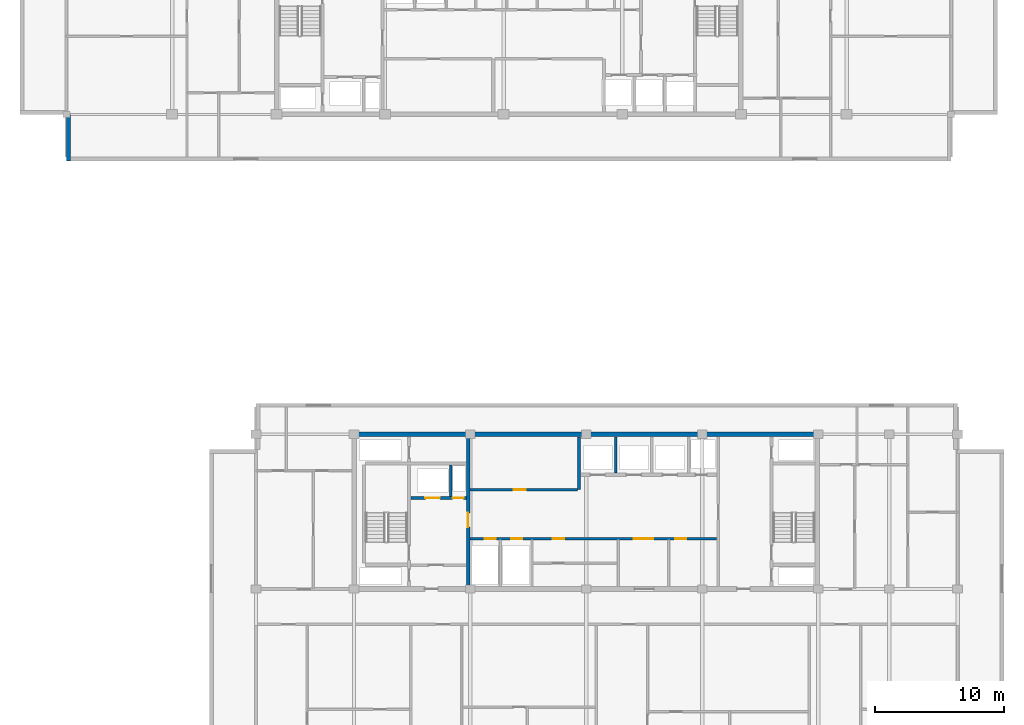
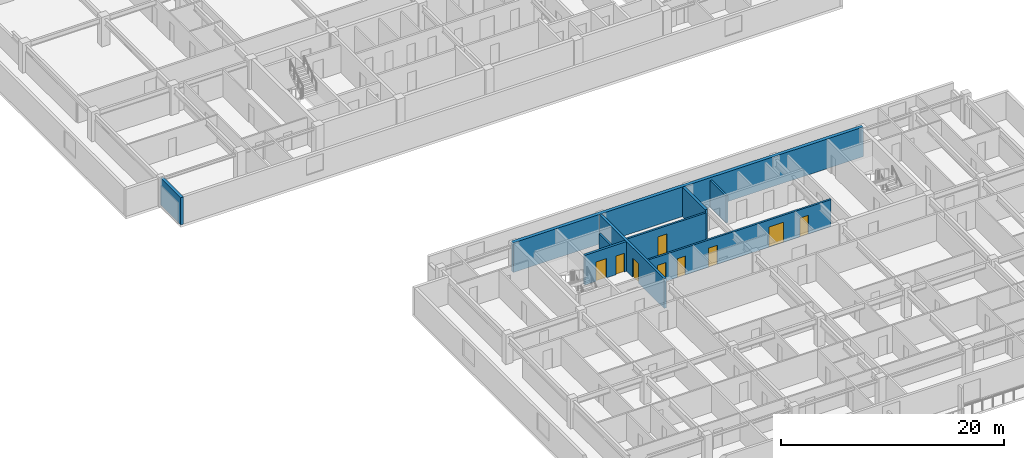
# One storey, part 7 of 22: 9 doors, 9 walls, 9 openings.
"""IFC4 building model written with IfcOpenShell, lengths in metres."""

from ifc_helpers import new_model, si_unit, direction, frame, frame_2d, origin, place, context, subcontext, project, spatial, rectangle, extrude, material, layer, layer_set, type_object, element, fill, save


model = new_model("IFC4")

# Units and contexts
model_context = context("Model", 3, precision=1e-05, world=origin(), true_north=direction((0.0, 1.0)))
body_context = subcontext(model_context, "Body", "Model", "MODEL_VIEW")
ifc_project = project(units=[si_unit("LENGTHUNIT", "METRE"), si_unit("AREAUNIT", "SQUARE_METRE"), si_unit("VOLUMEUNIT", "CUBIC_METRE"), si_unit("PLANEANGLEUNIT", "RADIAN"), si_unit("MASSUNIT", "GRAM", prefix="KILO")], contexts=[model_context])

# Site, building, storey
site_placement = place(None, origin())
site = spatial("IfcSite", under=ifc_project, at=site_placement, CompositionType="ELEMENT")
building_placement = place(site_placement, origin())
building = spatial("IfcBuilding", under=site, at=building_placement, Name="Korimba Cascade Residences", CompositionType="ELEMENT")
storey_placement = place(building_placement, frame((0.0, 0.0, 181.60009765625)))
storey = spatial("IfcBuildingStorey", under=building, at=storey_placement, Name="L52", CompositionType="ELEMENT", Elevation=181.60009765625)

# Walls
ifc_material_1 = material(Name="Precast concrete C40/50", Category="concrete")
ifc_layer_1 = layer(ifc_material_1, 0.300048828125)
ifc_layer_set_1 = layer_set([ifc_layer_1], Name="Precast concrete C40/50")
wall_type_1 = type_object("IfcWallType", Name="EW-STONE-300", PredefinedType="STANDARD", material=ifc_layer_set_1)
wall_1_placement = place(storey_placement, frame((59.949951171875, 55.199951171875, 0.0), z_axis=(0.0, 0.0, 1.0), x_axis=(0.0, -1.0, 0.0)))
element("IfcWall", 1, at=wall_1_placement, inside=storey, type_object=wall_type_1, Name="L52 T1 Perimeter Stone Wall E11", PredefinedType="STANDARD", context=body_context, shape_type="SweptSolid", body=[
    extrude(rectangle(XDim=3.599853515625, YDim=0.300048828125, at=frame_2d((1.7998046875, 0.0))), origin(), (0.0, 0.0, 1.0), 2.969970703125),
])
ifc_material_2 = material(Name="Concrete C65/80", Category="concrete")
ifc_layer_2 = layer(ifc_material_2, 0.35009765625)
ifc_layer_set_2 = layer_set([ifc_layer_2], Name="Concrete C65/80")
wall_type_2 = type_object("IfcWallType", Name="WAL-CORE-350", PredefinedType="SHEAR", material=ifc_layer_set_2)
wall_2_placement = place(storey_placement, frame((81.925048828125, 30.39990234375, 0.0), z_axis=(0.0, 0.0, 1.0), x_axis=(1.0, 0.0, 0.0)))
element("IfcWall", 2, at=wall_2_placement, inside=storey, type_object=wall_type_2, Name="L52 Core Shear Wall CW-L52-T2-N", PredefinedType="SHEAR", context=body_context, shape_type="SweptSolid", body=[
    extrude(rectangle(XDim=36.264892578125, YDim=0.35009765625, at=frame_2d((18.13232421875, 0.0))), origin(), (0.0, 0.0, 1.0), 3.25),
])
ifc_material_3 = material(Name="Concrete C40/50", Category="concrete")
ifc_layer_3 = layer(ifc_material_3, 0.199951171875)
ifc_layer_set_3 = layer_set([ifc_layer_3], Name="Concrete C40/50")
wall_type_3 = type_object("IfcWallType", Name="WAL-PART-200", PredefinedType="PARTITIONING", material=ifc_layer_set_3)
wall_3_placement = place(storey_placement, frame((89.60009765625, 25.580078125, 0.0), z_axis=(0.0, 0.0, 1.0), x_axis=(0.0, 1.0, 0.0)))
element("IfcWall", 3, at=wall_3_placement, inside=storey, type_object=wall_type_3, Name="L52 Partition Wall CW-L52-T2-FFLDIV", PredefinedType="PARTITIONING", context=body_context, shape_type="SweptSolid", body=[
    extrude(rectangle(XDim=2.419921875, YDim=0.199951171875, at=frame_2d((1.2099609375, 0.0))), origin(), (0.0, 0.0, 1.0), 2.969970703125),
])

# Wall, opening, door
wall_4_placement = place(storey_placement, frame((91.080078125, 26.10009765625, 0.0), z_axis=(0.0, 0.0, 1.0), x_axis=(1.0, 0.0, 0.0)))
wall_4 = element("IfcWall", 4, at=wall_4_placement, inside=storey, type_object=wall_type_3, Name="L52 Partition Wall CW-L52-T2-B1RS", PredefinedType="PARTITIONING", context=body_context, shape_type="SweptSolid", body=[
    extrude(rectangle(XDim=8.33984375, YDim=0.199951171875, at=frame_2d((4.169921875, 0.0))), origin(), (0.0, 0.0, 1.0), 2.969970703125),
])
opening_1_placement = place(wall_4_placement, frame((3.39990234375, 0.0, 0.0)))
opening_1 = element("IfcOpeningElement", 5, at=opening_1_placement, cuts=wall_4, Name="Opening D-ST1", PredefinedType="OPENING", context=body_context, shape_type="SweptSolid", body=[
    extrude(rectangle(XDim=0.919921875, YDim=2.080078125, at=frame_2d((0.4599609375, 1.0400390625))), frame((0.0, 0.10986328125, 0.0), z_axis=(0.0, -1.0, 0.0), x_axis=(1.0, 0.0, 0.0)), (0.0, 0.0, 1.0), 0.219970703125),
])
ifc_material_4 = material(Name="Fire-Rated Core Store Door", Category="wood")
door_type_1 = type_object("IfcDoorType", Name="DR-FD60-920", OperationType="NOTDEFINED", PredefinedType="DOOR", material=ifc_material_4)
door_1_placement = place(opening_1_placement, origin())
door_1 = element("IfcDoor", 6, at=door_1_placement, inside=storey, type_object=door_type_1, Name="L52 T2 Resident Storage Door", OperationType="SINGLE_SWING_RIGHT", OverallHeight=2.080078125, OverallWidth=0.919921875, PredefinedType="DOOR", context=body_context, shape_type="SweptSolid", body=[
    extrude(rectangle(XDim=0.919921875, YDim=2.080078125, at=frame_2d((0.4599609375, 1.0400390625))), frame((0.0, 0.02490234375, 0.0), z_axis=(0.0, -1.0, 0.0), x_axis=(1.0, 0.0, 0.0)), (0.0, 0.0, 1.0), 0.050048828125),
])
fill(opening_1, door_1)

# Wall
wall_5_placement = place(storey_placement, frame((102.39990234375, 27.3798828125, 0.0), z_axis=(0.0, 0.0, 1.0), x_axis=(0.0, 1.0, 0.0)))
element("IfcWall", 7, at=wall_5_placement, inside=storey, type_object=wall_type_3, Name="L52 Partition Wall CW-L52-T2-B2D1", PredefinedType="PARTITIONING", context=body_context, shape_type="SweptSolid", body=[
    extrude(rectangle(XDim=2.820068359375, YDim=0.199951171875, at=frame_2d((1.41015625, 0.0))), origin(), (0.0, 0.0, 1.0), 2.969970703125),
])

# Wall, openings, doors
wall_6_placement = place(storey_placement, frame((91.080078125, 22.300048828125, 0.0), z_axis=(0.0, 0.0, 1.0), x_axis=(1.0, 0.0, 0.0)))
wall_6 = element("IfcWall", 8, at=wall_6_placement, inside=storey, type_object=wall_type_3, Name="L52 Partition Wall CW-L52-T2-SRVROW", PredefinedType="PARTITIONING", context=body_context, shape_type="SweptSolid", body=[
    extrude(rectangle(XDim=19.139892578125, YDim=0.199951171875, at=frame_2d((9.56982421875, 0.0))), origin(), (0.0, 0.0, 1.0), 2.969970703125),
])
opening_2_placement = place(wall_6_placement, frame((1.14990234375, 0.0, 0.0)))
opening_2 = element("IfcOpeningElement", 9, at=opening_2_placement, cuts=wall_6, Name="Opening D-RS1", PredefinedType="OPENING", context=body_context, shape_type="SweptSolid", body=[
    extrude(rectangle(XDim=0.85009765625, YDim=2.050048828125, at=frame_2d((0.425048828125, 1.02490234375))), frame((0.0, 0.10986328125, 0.0), z_axis=(0.0, -1.0, 0.0), x_axis=(1.0, 0.0, 0.0)), (0.0, 0.0, 1.0), 0.219970703125),
])
opening_3_placement = place(wall_6_placement, frame((3.199951171875, 0.0, 0.0)))
opening_3 = element("IfcOpeningElement", 10, at=opening_3_placement, cuts=wall_6, Name="Opening D-RS1", PredefinedType="OPENING", context=body_context, shape_type="SweptSolid", body=[
    extrude(rectangle(XDim=0.85009765625, YDim=2.050048828125, at=frame_2d((0.425048828125, 1.02490234375))), frame((0.0, 0.10986328125, 0.0), z_axis=(0.0, -1.0, 0.0), x_axis=(1.0, 0.0, 0.0)), (0.0, 0.0, 1.0), 0.219970703125),
])
opening_4_placement = place(wall_6_placement, frame((12.719970703125, 0.0, 0.0)))
opening_4 = element("IfcOpeningElement", 11, at=opening_4_placement, cuts=wall_6, Name="Opening D-FD8", PredefinedType="OPENING", context=body_context, shape_type="SweptSolid", body=[
    extrude(rectangle(XDim=1.5, YDim=2.199951171875, at=frame_2d((0.75, 1.10009765625))), frame((0.0, 0.10986328125, 0.0), z_axis=(0.0, -1.0, 0.0), x_axis=(1.0, 0.0, 0.0)), (0.0, 0.0, 1.0), 0.219970703125),
])
opening_5_placement = place(wall_6_placement, frame((6.419921875, 0.0, 0.0)))
opening_5 = element("IfcOpeningElement", 12, at=opening_5_placement, cuts=wall_6, Name="Opening D-IN1", PredefinedType="OPENING", context=body_context, shape_type="SweptSolid", body=[
    extrude(rectangle(XDim=0.919921875, YDim=2.080078125, at=frame_2d((0.4599609375, 1.0400390625))), frame((0.0, 0.10986328125, 0.0), z_axis=(0.0, -1.0, 0.0), x_axis=(1.0, 0.0, 0.0)), (0.0, 0.0, 1.0), 0.219970703125),
])
opening_6_placement = place(wall_6_placement, frame((15.919921875, 0.0, 0.0)))
opening_6 = element("IfcOpeningElement", 13, at=opening_6_placement, cuts=wall_6, Name="Opening D-IN2", PredefinedType="OPENING", context=body_context, shape_type="SweptSolid", body=[
    extrude(rectangle(XDim=0.8798828125, YDim=2.06005859375, at=frame_2d((0.43994140625, 1.030029296875))), frame((0.0, 0.10986328125, 0.0), z_axis=(0.0, -1.0, 0.0), x_axis=(1.0, 0.0, 0.0)), (0.0, 0.0, 1.0), 0.219970703125),
])
ifc_material_5 = material(Name="Fire-Rated Steel Riser Access Door", Category="steel")
door_type_2 = type_object("IfcDoorType", Name="DR-FD60-850", OperationType="NOTDEFINED", PredefinedType="DOOR", material=ifc_material_5)
door_2_placement = place(opening_2_placement, origin())
door_2 = element("IfcDoor", 14, at=door_2_placement, inside=storey, type_object=door_type_2, Name="L52 T2 Electrical Riser Door", OperationType="SINGLE_SWING_LEFT", OverallHeight=2.050048828125, OverallWidth=0.85009765625, PredefinedType="DOOR", context=body_context, shape_type="SweptSolid", body=[
    extrude(rectangle(XDim=0.85009765625, YDim=2.050048828125, at=frame_2d((0.425048828125, 1.02490234375))), frame((0.0, 0.02490234375, 0.0), z_axis=(0.0, -1.0, 0.0), x_axis=(1.0, 0.0, 0.0)), (0.0, 0.0, 1.0), 0.050048828125),
])
fill(opening_2, door_2)
door_3_placement = place(opening_3_placement, origin())
door_3 = element("IfcDoor", 15, at=door_3_placement, inside=storey, type_object=door_type_2, Name="L52 T2 Plumbing Riser Door", OperationType="SINGLE_SWING_RIGHT", OverallHeight=2.050048828125, OverallWidth=0.85009765625, PredefinedType="DOOR", context=body_context, shape_type="SweptSolid", body=[
    extrude(rectangle(XDim=0.85009765625, YDim=2.050048828125, at=frame_2d((0.425048828125, 1.02490234375))), frame((0.0, 0.02490234375, 0.0), z_axis=(0.0, -1.0, 0.0), x_axis=(1.0, 0.0, 0.0)), (0.0, 0.0, 1.0), 0.050048828125),
])
fill(opening_3, door_3)
ifc_material_6 = material(Name="Fire-Rated Glazed Lift Lobby Double Door", Category="glass")
door_type_3 = type_object("IfcDoorType", Name="DR-FD90-1500", OperationType="NOTDEFINED", PredefinedType="DOOR", material=ifc_material_6)
door_4_placement = place(opening_4_placement, origin())
door_4 = element("IfcDoor", 16, at=door_4_placement, inside=storey, type_object=door_type_3, Name="L52 T2 Lift Lobby Foyer Door", OperationType="DOUBLE_DOOR_SINGLE_SWING", OverallHeight=2.199951171875, OverallWidth=1.5, PredefinedType="DOOR", context=body_context, shape_type="SweptSolid", body=[
    extrude(rectangle(XDim=1.5, YDim=2.199951171875, at=frame_2d((0.75, 1.10009765625))), frame((0.0, 0.02490234375, 0.0), z_axis=(0.0, -1.0, 0.0), x_axis=(1.0, 0.0, 0.0)), (0.0, 0.0, 1.0), 0.050048828125),
])
fill(opening_4, door_4)
ifc_material_7 = material(Name="Acoustic Timber Bedroom Door", Category="wood")
door_type_4 = type_object("IfcDoorType", Name="DR-INT-880", OperationType="NOTDEFINED", PredefinedType="DOOR", material=ifc_material_7)
door_5_placement = place(opening_6_placement, origin())
door_5 = element("IfcDoor", 17, at=door_5_placement, inside=storey, type_object=door_type_4, Name="L52 T2 Staff WC Door", OperationType="SINGLE_SWING_RIGHT", OverallHeight=2.06005859375, OverallWidth=0.8798828125, PredefinedType="DOOR", context=body_context, shape_type="SweptSolid", body=[
    extrude(rectangle(XDim=0.8798828125, YDim=2.06005859375, at=frame_2d((0.43994140625, 1.030029296875))), frame((0.0, 0.02490234375, 0.0), z_axis=(0.0, -1.0, 0.0), x_axis=(1.0, 0.0, 0.0)), (0.0, 0.0, 1.0), 0.050048828125),
])
fill(opening_6, door_5)
ifc_material_8 = material(Name="Acoustic Timber Living Door", Category="wood")
door_type_5 = type_object("IfcDoorType", Name="DR-INT-920", OperationType="NOTDEFINED", PredefinedType="DOOR", material=ifc_material_8)
door_6_placement = place(opening_5_placement, origin())
door_6 = element("IfcDoor", 18, at=door_6_placement, inside=storey, type_object=door_type_5, Name="L52 T2 Locker Door", OperationType="SINGLE_SWING_LEFT", OverallHeight=2.080078125, OverallWidth=0.919921875, PredefinedType="DOOR", context=body_context, shape_type="SweptSolid", body=[
    extrude(rectangle(XDim=0.919921875, YDim=2.080078125, at=frame_2d((0.4599609375, 1.0400390625))), frame((0.0, 0.02490234375, 0.0), z_axis=(0.0, -1.0, 0.0), x_axis=(1.0, 0.0, 0.0)), (0.0, 0.0, 1.0), 0.050048828125),
])
fill(opening_5, door_6)

ifc_material_9 = material(Name="Concrete C50/60", Category="concrete")
ifc_layer_4 = layer(ifc_material_9, 0.25)
ifc_layer_set_4 = layer_set([ifc_layer_4], Name="Concrete C50/60")
wall_type_4 = type_object("IfcWallType", Name="WAL-SHAFT-250", PredefinedType="SHEAR", material=ifc_layer_set_4)
wall_7_placement = place(storey_placement, frame((86.5, 25.449951171875, 0.0), z_axis=(0.0, 0.0, 1.0), x_axis=(1.0, 0.0, 0.0)))
wall_7 = element("IfcWall", 19, at=wall_7_placement, inside=storey, type_object=wall_type_4, Name="L52 Core Shear Wall CW-L52-T2-FFLN", PredefinedType="SHEAR", context=body_context, shape_type="SweptSolid", body=[
    extrude(rectangle(XDim=4.320068359375, YDim=0.25, at=frame_2d((2.16015625, 0.0))), origin(), (0.0, 0.0, 1.0), 3.25),
])
opening_7_placement = place(wall_7_placement, frame((1.139892578125, 0.0, 0.0)))
opening_7 = element("IfcOpeningElement", 20, at=opening_7_placement, cuts=wall_7, Name="Opening LD-01", PredefinedType="OPENING", context=body_context, shape_type="SweptSolid", body=[
    extrude(rectangle(XDim=1.1201171875, YDim=2.1201171875, at=frame_2d((0.56005859375, 1.06005859375))), frame((0.0, 0.135009765625, 0.0), z_axis=(0.0, -1.0, 0.0), x_axis=(1.0, 0.0, 0.0)), (0.0, 0.0, 1.0), 0.27001953125),
])
opening_8_placement = place(wall_7_placement, frame((3.25, 0.0, 0.0)))
opening_8 = element("IfcOpeningElement", 21, at=opening_8_placement, cuts=wall_7, Name="Opening D-RS1", PredefinedType="OPENING", context=body_context, shape_type="SweptSolid", body=[
    extrude(rectangle(XDim=0.85009765625, YDim=2.050048828125, at=frame_2d((0.425048828125, 1.02490234375))), frame((0.0, 0.135009765625, 0.0), z_axis=(0.0, -1.0, 0.0), x_axis=(1.0, 0.0, 0.0)), (0.0, 0.0, 1.0), 0.27001953125),
])
door_7_placement = place(opening_8_placement, origin())
door_7 = element("IfcDoor", 22, at=door_7_placement, inside=storey, type_object=door_type_2, Name="L52 T2 Pressurisation Riser Door", OperationType="SINGLE_SWING_LEFT", OverallHeight=2.050048828125, OverallWidth=0.85009765625, PredefinedType="DOOR", context=body_context, shape_type="SweptSolid", body=[
    extrude(rectangle(XDim=0.85009765625, YDim=2.050048828125, at=frame_2d((0.425048828125, 1.02490234375))), frame((0.0, 0.02490234375, 0.0), z_axis=(0.0, -1.0, 0.0), x_axis=(1.0, 0.0, 0.0)), (0.0, 0.0, 1.0), 0.050048828125),
])
fill(opening_8, door_7)
ifc_material_10 = material(Name="Stainless Steel Lift Landing Sliding Door", Category="steel")
door_type_6 = type_object("IfcDoorType", Name="DR-LIFT-1100", OperationType="NOTDEFINED", PredefinedType="DOOR", material=ifc_material_10)
door_8_placement = place(opening_7_placement, origin())
door_8 = element("IfcDoor", 23, at=door_8_placement, inside=storey, type_object=door_type_6, Name="L52 Firefighting Lift Landing Door FFL-E1", OperationType="SLIDING_TO_RIGHT", OverallHeight=2.1201171875, OverallWidth=1.1201171875, PredefinedType="DOOR", context=body_context, shape_type="SweptSolid", body=[
    extrude(rectangle(XDim=1.1201171875, YDim=2.1201171875, at=frame_2d((0.56005859375, 1.06005859375))), frame((0.0, 0.02490234375, 0.0), z_axis=(0.0, -1.0, 0.0), x_axis=(1.0, 0.0, 0.0)), (0.0, 0.0, 1.0), 0.050048828125),
])
fill(opening_7, door_8)

# Wall, opening, door
wall_8_placement = place(storey_placement, frame((90.949951171875, 18.60009765625, 0.0), z_axis=(0.0, 0.0, 1.0), x_axis=(0.0, 1.0, 0.0)))
wall_8 = element("IfcWall", 24, at=wall_8_placement, inside=storey, type_object=wall_type_4, Name="L52 Core Shear Wall CW-L52-T2-FFLE", PredefinedType="SHEAR", context=body_context, shape_type="SweptSolid", body=[
    extrude(rectangle(XDim=11.599853515625, YDim=0.25, at=frame_2d((5.7998046875, 0.0))), origin(), (0.0, 0.0, 1.0), 3.25),
])
opening_9_placement = place(wall_8_placement, frame((4.60009765625, 0.0, 0.0)))
opening_9 = element("IfcOpeningElement", 25, at=opening_9_placement, cuts=wall_8, Name="Opening D-FD1", PredefinedType="OPENING", context=body_context, shape_type="SweptSolid", body=[
    extrude(rectangle(XDim=1.10009765625, YDim=2.10009765625, at=frame_2d((0.550048828125, 1.050048828125))), frame((0.0, 0.135009765625, 0.0), z_axis=(0.0, -1.0, 0.0), x_axis=(1.0, 0.0, 0.0)), (0.0, 0.0, 1.0), 0.27001953125),
])
ifc_material_11 = material(Name="Fire-Rated Steel Core Door", Category="steel")
door_type_7 = type_object("IfcDoorType", Name="DR-FD120-1100", OperationType="NOTDEFINED", PredefinedType="DOOR", material=ifc_material_11)
door_9_placement = place(opening_9_placement, origin())
door_9 = element("IfcDoor", 26, at=door_9_placement, inside=storey, type_object=door_type_7, Name="L52 T2 Firefighting Lobby to Lift Lobby Door", OperationType="SINGLE_SWING_LEFT", OverallHeight=2.10009765625, OverallWidth=1.10009765625, PredefinedType="DOOR", context=body_context, shape_type="SweptSolid", body=[
    extrude(rectangle(XDim=1.10009765625, YDim=2.10009765625, at=frame_2d((0.550048828125, 1.050048828125))), frame((0.0, 0.02490234375, 0.0), z_axis=(0.0, -1.0, 0.0), x_axis=(1.0, 0.0, 0.0)), (0.0, 0.0, 1.0), 0.050048828125),
])
fill(opening_9, door_9)

# Wall
wall_9_placement = place(storey_placement, frame((99.550048828125, 26.10009765625, 0.0), z_axis=(0.0, 0.0, 1.0), x_axis=(0.0, 1.0, 0.0)))
element("IfcWall", 27, at=wall_9_placement, inside=storey, type_object=wall_type_4, Name="L52 Core Shear Wall CW-L52-T2-B12DIV", PredefinedType="SHEAR", context=body_context, shape_type="SweptSolid", body=[
    extrude(rectangle(XDim=4.099853515625, YDim=0.25, at=frame_2d((2.0498046875, 0.0))), origin(), (0.0, 0.0, 1.0), 3.25),
])

save(model, "model.ifc")
